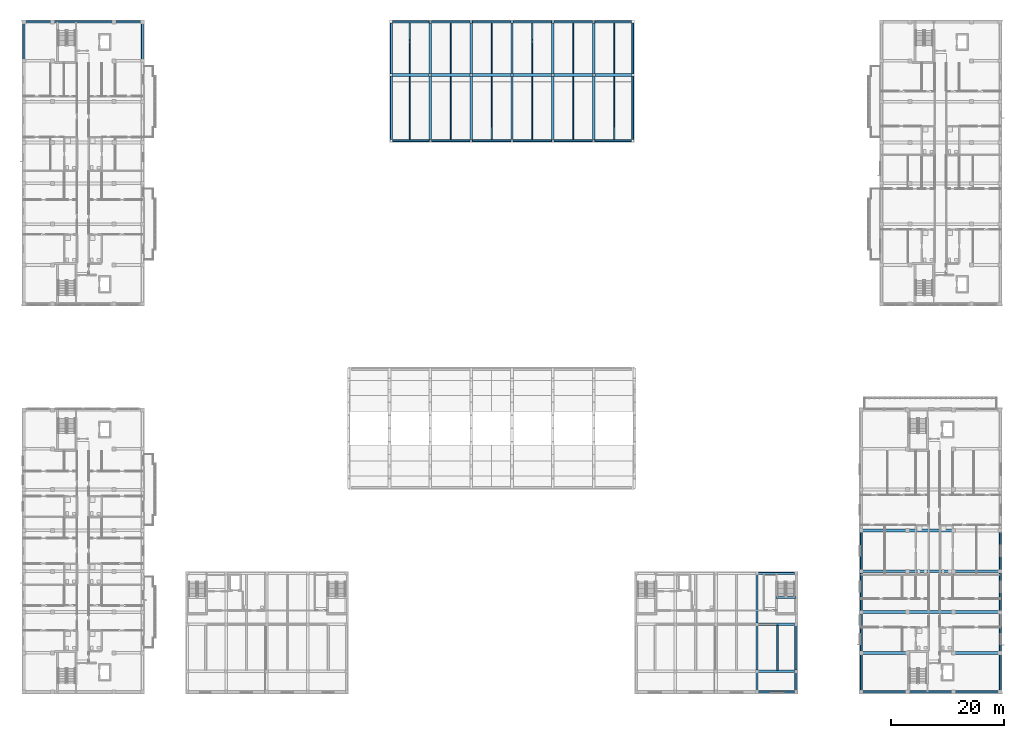
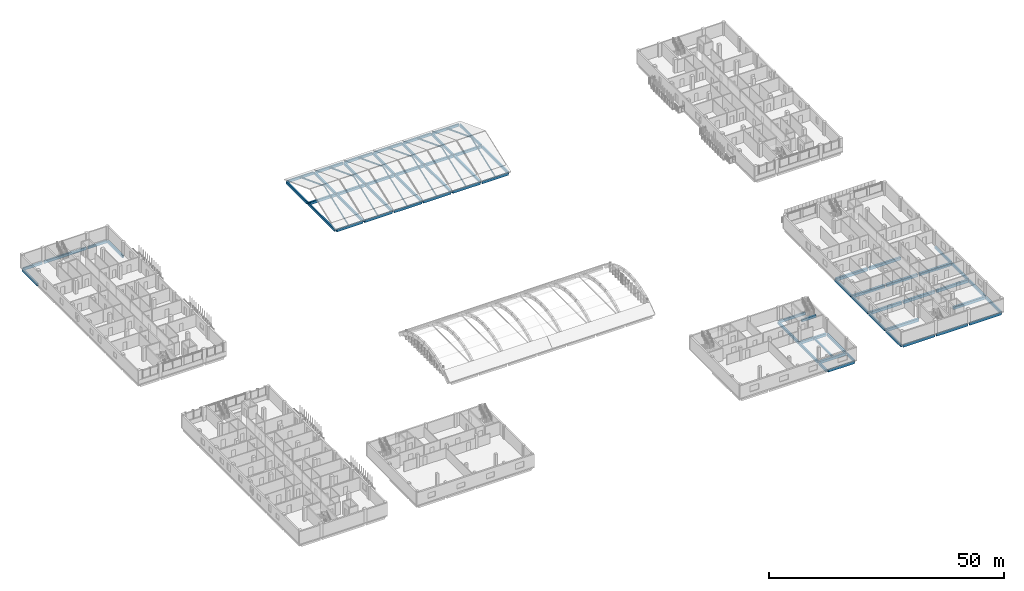
# One storey, part 22 of 73: 69 beams, 12 members.
"""IFC4 building model written with IfcOpenShell, lengths in metres."""

from ifc_helpers import new_model, si_unit, derived_unit, direction, frame, origin, origin_2d, place, context, subcontext, project, spatial, rectangle, i_section, extrude, material, material_profile, profile_set, type_object, element, save


model = new_model("IFC4")

# Units and contexts
model_context = context("Model", 3, precision=1e-05, world=origin(), true_north=direction((0.0, 1.0)))
body_context = subcontext(model_context, "Body", "Model", "MODEL_VIEW")
ifc_project = project(units=[si_unit("LENGTHUNIT", "METRE"), si_unit("AREAUNIT", "SQUARE_METRE"), si_unit("VOLUMEUNIT", "CUBIC_METRE"), si_unit("PLANEANGLEUNIT", "RADIAN"), si_unit("MASSUNIT", "GRAM", prefix="KILO"), derived_unit("THERMALTRANSMITTANCEUNIT", [(si_unit("MASSUNIT", "GRAM", prefix="KILO"), 1), (si_unit("TIMEUNIT", "SECOND"), -3), (si_unit("THERMODYNAMICTEMPERATUREUNIT", "KELVIN"), -1)])], contexts=[model_context])

# Site, building, storey
site_placement = place(None, origin())
site = spatial("IfcSite", under=ifc_project, at=site_placement, CompositionType="ELEMENT")
building_placement = place(site_placement, origin())
building = spatial("IfcBuilding", under=site, at=building_placement, Name="Ochrekiln Boulevard Commons", CompositionType="ELEMENT")
storey_placement = place(building_placement, frame((0.0, 0.0, 8.574951171875)))
storey = spatial("IfcBuildingStorey", under=building, at=storey_placement, Name="L02", CompositionType="ELEMENT", Elevation=8.574951171875)

# Beams
ifc_material_1 = material(Name="Concrete C35/45", Category="concrete")
ifc_material_profile_1 = material_profile(ifc_material_1, rectangle(XDim=0.39990234375, YDim=0.60009765625, at=origin_2d()), Name="RC-BM-400x600")
ifc_profile_set_1 = profile_set([ifc_material_profile_1], Name="Concrete C35/45")
beam_type_1 = type_object("IfcBeamType", Name="BM-RC-400x600", PredefinedType="BEAM", material=ifc_profile_set_1)
beam_1_placement = place(storey_placement, frame((72.0, 97.760009765625, -0.570068359375), z_axis=(0.0, 1.0, 0.0), x_axis=(-1.0, 0.0, 0.0)))
element("IfcBeam", 1, at=beam_1_placement, inside=storey, type_object=beam_type_1, Name="Nursery Pavilion L02 Beam B-4060 Y21", PredefinedType="BEAM", context=body_context, shape_type="SweptSolid", body=[
    extrude(rectangle(XDim=0.39990234375, YDim=0.60009765625, at=origin_2d()), origin(), (0.0, 0.0, 1.0), 11.1298828125),
])
beam_2_placement = place(storey_placement, frame((72.0, 109.31005859375, -0.570068359375), z_axis=(0.0, 1.0, 0.0), x_axis=(-1.0, 0.0, 0.0)))
element("IfcBeam", 2, at=beam_2_placement, inside=storey, type_object=beam_type_1, Name="Nursery Pavilion L02 Beam B-4060 Y22", PredefinedType="BEAM", context=body_context, shape_type="SweptSolid", body=[
    extrude(rectangle(XDim=0.39990234375, YDim=0.60009765625, at=origin_2d()), origin(), (0.0, 0.0, 1.0), 8.929931640625),
])
beam_3_placement = place(storey_placement, frame((79.199951171875, 97.760009765625, -0.570068359375), z_axis=(0.0, 1.0, 0.0), x_axis=(-1.0, 0.0, 0.0)))
element("IfcBeam", 3, at=beam_3_placement, inside=storey, type_object=beam_type_1, Name="Nursery Pavilion L02 Beam B-4060 Y23", PredefinedType="BEAM", context=body_context, shape_type="SweptSolid", body=[
    extrude(rectangle(XDim=0.39990234375, YDim=0.60009765625, at=origin_2d()), origin(), (0.0, 0.0, 1.0), 11.1298828125),
])
beam_4_placement = place(storey_placement, frame((79.199951171875, 109.31005859375, -0.570068359375), z_axis=(0.0, 1.0, 0.0), x_axis=(-1.0, 0.0, 0.0)))
element("IfcBeam", 4, at=beam_4_placement, inside=storey, type_object=beam_type_1, Name="Nursery Pavilion L02 Beam B-4060 Y24", PredefinedType="BEAM", context=body_context, shape_type="SweptSolid", body=[
    extrude(rectangle(XDim=0.39990234375, YDim=0.60009765625, at=origin_2d()), origin(), (0.0, 0.0, 1.0), 8.929931640625),
])
beam_5_placement = place(storey_placement, frame((86.39990234375, 97.760009765625, -0.570068359375), z_axis=(0.0, 1.0, 0.0), x_axis=(-1.0, 0.0, 0.0)))
element("IfcBeam", 5, at=beam_5_placement, inside=storey, type_object=beam_type_1, Name="Nursery Pavilion L02 Beam B-4060 Y25", PredefinedType="BEAM", context=body_context, shape_type="SweptSolid", body=[
    extrude(rectangle(XDim=0.39990234375, YDim=0.60009765625, at=origin_2d()), origin(), (0.0, 0.0, 1.0), 11.1298828125),
])
beam_6_placement = place(storey_placement, frame((86.39990234375, 109.31005859375, -0.570068359375), z_axis=(0.0, 1.0, 0.0), x_axis=(-1.0, 0.0, 0.0)))
element("IfcBeam", 6, at=beam_6_placement, inside=storey, type_object=beam_type_1, Name="Nursery Pavilion L02 Beam B-4060 Y26", PredefinedType="BEAM", context=body_context, shape_type="SweptSolid", body=[
    extrude(rectangle(XDim=0.39990234375, YDim=0.60009765625, at=origin_2d()), origin(), (0.0, 0.0, 1.0), 8.929931640625),
])
beam_7_placement = place(storey_placement, frame((93.60009765625, 97.760009765625, -0.570068359375), z_axis=(0.0, 1.0, 0.0), x_axis=(-1.0, 0.0, 0.0)))
element("IfcBeam", 7, at=beam_7_placement, inside=storey, type_object=beam_type_1, Name="Nursery Pavilion L02 Beam B-4060 Y27", PredefinedType="BEAM", context=body_context, shape_type="SweptSolid", body=[
    extrude(rectangle(XDim=0.39990234375, YDim=0.60009765625, at=origin_2d()), origin(), (0.0, 0.0, 1.0), 11.1298828125),
])
beam_8_placement = place(storey_placement, frame((93.60009765625, 109.31005859375, -0.570068359375), z_axis=(0.0, 1.0, 0.0), x_axis=(-1.0, 0.0, 0.0)))
element("IfcBeam", 8, at=beam_8_placement, inside=storey, type_object=beam_type_1, Name="Nursery Pavilion L02 Beam B-4060 Y28", PredefinedType="BEAM", context=body_context, shape_type="SweptSolid", body=[
    extrude(rectangle(XDim=0.39990234375, YDim=0.60009765625, at=origin_2d()), origin(), (0.0, 0.0, 1.0), 8.929931640625),
])
beam_9_placement = place(storey_placement, frame((100.800048828125, 97.760009765625, -0.570068359375), z_axis=(0.0, 1.0, 0.0), x_axis=(-1.0, 0.0, 0.0)))
element("IfcBeam", 9, at=beam_9_placement, inside=storey, type_object=beam_type_1, Name="Nursery Pavilion L02 Beam B-4060 Y29", PredefinedType="BEAM", context=body_context, shape_type="SweptSolid", body=[
    extrude(rectangle(XDim=0.39990234375, YDim=0.60009765625, at=origin_2d()), origin(), (0.0, 0.0, 1.0), 11.1298828125),
])
beam_10_placement = place(storey_placement, frame((100.800048828125, 109.31005859375, -0.570068359375), z_axis=(0.0, 1.0, 0.0), x_axis=(-1.0, 0.0, 0.0)))
element("IfcBeam", 10, at=beam_10_placement, inside=storey, type_object=beam_type_1, Name="Nursery Pavilion L02 Beam B-4060 Y30", PredefinedType="BEAM", context=body_context, shape_type="SweptSolid", body=[
    extrude(rectangle(XDim=0.39990234375, YDim=0.60009765625, at=origin_2d()), origin(), (0.0, 0.0, 1.0), 8.929931640625),
])
beam_11_placement = place(storey_placement, frame((129.60009765625, 0.56005859375, -0.574951171875), z_axis=(0.0, 1.0, 0.0), x_axis=(-1.0, 0.0, 0.0)))
element("IfcBeam", 11, at=beam_11_placement, inside=storey, type_object=beam_type_1, Name="East Boulevard Shops and Arcade L02 Beam B-4060 Y25", PredefinedType="BEAM", context=body_context, shape_type="SweptSolid", body=[
    extrude(rectangle(XDim=0.39990234375, YDim=0.60009765625, at=origin_2d()), origin(), (0.0, 0.0, 1.0), 3.179931640625),
])
beam_12_placement = place(storey_placement, frame((129.60009765625, 4.159912109375, -0.574951171875), z_axis=(0.0, 1.0, 0.0), x_axis=(-1.0, 0.0, 0.0)))
element("IfcBeam", 12, at=beam_12_placement, inside=storey, type_object=beam_type_1, Name="East Boulevard Shops and Arcade L02 Beam B-4060 Y26", PredefinedType="BEAM", context=body_context, shape_type="SweptSolid", body=[
    extrude(rectangle(XDim=0.39990234375, YDim=0.60009765625, at=origin_2d()), origin(), (0.0, 0.0, 1.0), 7.880126953125),
])
beam_13_placement = place(storey_placement, frame((129.60009765625, 12.4599609375, -0.574951171875), z_axis=(0.0, 1.0, 0.0), x_axis=(-1.0, 0.0, 0.0)))
element("IfcBeam", 13, at=beam_13_placement, inside=storey, type_object=beam_type_1, Name="East Boulevard Shops and Arcade L02 Beam B-4060 Y27", PredefinedType="BEAM", context=body_context, shape_type="SweptSolid", body=[
    extrude(rectangle(XDim=0.39990234375, YDim=0.60009765625, at=origin_2d()), origin(), (0.0, 0.0, 1.0), 8.580078125),
])
beam_14_placement = place(storey_placement, frame((132.919921875, 16.969970703125, 1.239990234375), z_axis=(1.0, 0.0, 0.0), x_axis=(0.0, 1.0, 0.0)))
element("IfcBeam", 14, at=beam_14_placement, inside=storey, type_object=beam_type_1, Name="Stair ST-E2 L02 Half-Landing Support Beam B-4060", PredefinedType="BEAM", context=body_context, shape_type="SweptSolid", body=[
    extrude(rectangle(XDim=0.39990234375, YDim=0.60009765625, at=origin_2d()), origin(), (0.0, 0.0, 1.0), 3.56005859375),
])
ifc_material_profile_2 = material_profile(ifc_material_1, rectangle(XDim=0.449951171875, YDim=0.64990234375, at=origin_2d()), Name="RC-BM-450x650")
ifc_profile_set_2 = profile_set([ifc_material_profile_2], Name="Concrete C35/45")
beam_type_2 = type_object("IfcBeamType", Name="BM-RC-450x650", PredefinedType="BEAM", material=ifc_profile_set_2)
beam_15_placement = place(storey_placement, frame((65.360107421875, 109.10009765625, -0.594970703125), z_axis=(1.0, 0.0, 0.0), x_axis=(0.0, 1.0, 0.0)))
element("IfcBeam", 15, at=beam_15_placement, inside=storey, type_object=beam_type_2, Name="Nursery Pavilion L02 Beam B-4565 X7", PredefinedType="BEAM", context=body_context, shape_type="SweptSolid", body=[
    extrude(rectangle(XDim=0.449951171875, YDim=0.64990234375, at=origin_2d()), origin(), (0.0, 0.0, 1.0), 6.429931640625),
])
for number, where, z_axis, x_axis, name in (
    (16, (72.2099609375, 109.10009765625, -0.594970703125), (1.0, 0.0, 0.0), (0.0, 1.0, 0.0), "Nursery Pavilion L02 Beam B-4565 X8"),
    (17, (79.409912109375, 109.10009765625, -0.594970703125), (1.0, 0.0, 0.0), (0.0, 1.0, 0.0), "Nursery Pavilion L02 Beam B-4565 X9"),
):
    element("IfcBeam", number, at=place(storey_placement, frame(where, z_axis=z_axis, x_axis=x_axis)), inside=storey, type_object=beam_type_2, Name=name, PredefinedType="BEAM", context=body_context, shape_type="SweptSolid", body=[
        extrude(rectangle(XDim=0.449951171875, YDim=0.64990234375, at=origin_2d()), origin(), (0.0, 0.0, 1.0), 6.780029296875),
    ])
beam_16_placement = place(storey_placement, frame((86.610107421875, 109.10009765625, -0.594970703125), z_axis=(1.0, 0.0, 0.0), x_axis=(0.0, 1.0, 0.0)))
element("IfcBeam", 18, at=beam_16_placement, inside=storey, type_object=beam_type_2, Name="Nursery Pavilion L02 Beam B-4565 X10", PredefinedType="BEAM", context=body_context, shape_type="SweptSolid", body=[
    extrude(rectangle(XDim=0.449951171875, YDim=0.64990234375, at=origin_2d()), origin(), (0.0, 0.0, 1.0), 6.77978515625),
])
beam_17_placement = place(storey_placement, frame((93.81005859375, 109.10009765625, -0.594970703125), z_axis=(1.0, 0.0, 0.0), x_axis=(0.0, 1.0, 0.0)))
element("IfcBeam", 19, at=beam_17_placement, inside=storey, type_object=beam_type_2, Name="Nursery Pavilion L02 Beam B-4565 X11", PredefinedType="BEAM", context=body_context, shape_type="SweptSolid", body=[
    extrude(rectangle(XDim=0.449951171875, YDim=0.64990234375, at=origin_2d()), origin(), (0.0, 0.0, 1.0), 6.780029296875),
])
for number, where, z_axis, x_axis, name in (
    (20, (101.010009765625, 109.10009765625, -0.594970703125), (1.0, 0.0, 0.0), (0.0, 1.0, 0.0), "Nursery Pavilion L02 Beam B-4565 X12"),
    (21, (129.81005859375, 3.949951171875, -0.599853515625), (1.0, 0.0, 0.0), (0.0, 1.0, 0.0), "East Boulevard Shops and Arcade L02 Beam B-4565 X8"),
    (22, (129.81005859375, 12.25, -0.599853515625), (1.0, 0.0, 0.0), (0.0, 1.0, 0.0), "East Boulevard Shops and Arcade L02 Beam B-4565 X12"),
):
    element("IfcBeam", number, at=place(storey_placement, frame(where, z_axis=z_axis, x_axis=x_axis)), inside=storey, type_object=beam_type_2, Name=name, PredefinedType="BEAM", context=body_context, shape_type="SweptSolid", body=[
        extrude(rectangle(XDim=0.449951171875, YDim=0.64990234375, at=origin_2d()), origin(), (0.0, 0.0, 1.0), 6.429931640625),
    ])
ifc_material_2 = material(Name="Concrete C40/50", Category="concrete")
ifc_material_profile_3 = material_profile(ifc_material_2, rectangle(XDim=0.5, YDim=0.699951171875, at=origin_2d()), Name="RC-BM-500x700")
ifc_profile_set_3 = profile_set([ifc_material_profile_3], Name="Concrete C40/50")
beam_type_3 = type_object("IfcBeamType", Name="BM-RC-500x700", PredefinedType="BEAM", material=ifc_profile_set_3)
for number, where, z_axis, x_axis, name in (
    (23, (148.159912109375, 7.199951171875, -0.60986328125), (1.0, 0.0, 0.0), (0.0, 1.0, 0.0), "Block C L02 Beam B-5070 X4"),
    (24, (164.4599609375, 7.199951171875, -0.60986328125), (1.0, 0.0, 0.0), (0.0, 1.0, 0.0), "Block C L02 Beam B-5070 X5"),
    (25, (148.159912109375, 14.39990234375, -0.60986328125), (1.0, 0.0, 0.0), (0.0, 1.0, 0.0), "Block C L02 Beam B-5070 X6"),
):
    element("IfcBeam", number, at=place(storey_placement, frame(where, z_axis=z_axis, x_axis=x_axis)), inside=storey, type_object=beam_type_3, Name=name, PredefinedType="BEAM", context=body_context, shape_type="SweptSolid", body=[
        extrude(rectangle(XDim=0.5, YDim=0.699951171875, at=origin_2d()), origin(), (0.0, 0.0, 1.0), 7.780029296875),
    ])
beam_18_placement = place(storey_placement, frame((156.360107421875, 14.39990234375, -0.60986328125), z_axis=(1.0, 0.0, 0.0), x_axis=(0.0, 1.0, 0.0)))
element("IfcBeam", 26, at=beam_18_placement, inside=storey, type_object=beam_type_3, Name="Block C L02 Beam B-5070 X7", PredefinedType="BEAM", context=body_context, shape_type="SweptSolid", body=[
    extrude(rectangle(XDim=0.5, YDim=0.699951171875, at=origin_2d()), origin(), (0.0, 0.0, 1.0), 7.679931640625),
])
for number, where, z_axis, x_axis, name in (
    (27, (164.4599609375, 14.39990234375, -0.60986328125), (1.0, 0.0, 0.0), (0.0, 1.0, 0.0), "Block C L02 Beam B-5070 X8"),
    (28, (148.159912109375, 21.60009765625, -0.60986328125), (1.0, 0.0, 0.0), (0.0, 1.0, 0.0), "Block C L02 Beam B-5070 X9"),
):
    element("IfcBeam", number, at=place(storey_placement, frame(where, z_axis=z_axis, x_axis=x_axis)), inside=storey, type_object=beam_type_3, Name=name, PredefinedType="BEAM", context=body_context, shape_type="SweptSolid", body=[
        extrude(rectangle(XDim=0.5, YDim=0.699951171875, at=origin_2d()), origin(), (0.0, 0.0, 1.0), 7.780029296875),
    ])
beam_19_placement = place(storey_placement, frame((156.360107421875, 21.60009765625, -0.60986328125), z_axis=(1.0, 0.0, 0.0), x_axis=(0.0, 1.0, 0.0)))
element("IfcBeam", 29, at=beam_19_placement, inside=storey, type_object=beam_type_3, Name="Block C L02 Beam B-5070 X10", PredefinedType="BEAM", context=body_context, shape_type="SweptSolid", body=[
    extrude(rectangle(XDim=0.5, YDim=0.699951171875, at=origin_2d()), origin(), (0.0, 0.0, 1.0), 7.679931640625),
])
for number, where, z_axis, x_axis, name in (
    (30, (164.4599609375, 21.60009765625, -0.60986328125), (1.0, 0.0, 0.0), (0.0, 1.0, 0.0), "Block C L02 Beam B-5070 X11"),
    (31, (148.159912109375, 28.800048828125, -0.60986328125), (1.0, 0.0, 0.0), (0.0, 1.0, 0.0), "Block C L02 Beam B-5070 X12"),
):
    element("IfcBeam", number, at=place(storey_placement, frame(where, z_axis=z_axis, x_axis=x_axis)), inside=storey, type_object=beam_type_3, Name=name, PredefinedType="BEAM", context=body_context, shape_type="SweptSolid", body=[
        extrude(rectangle(XDim=0.5, YDim=0.699951171875, at=origin_2d()), origin(), (0.0, 0.0, 1.0), 7.780029296875),
    ])
beam_20_placement = place(storey_placement, frame((156.360107421875, 28.800048828125, -0.60986328125), z_axis=(1.0, 0.0, 0.0), x_axis=(0.0, 1.0, 0.0)))
element("IfcBeam", 32, at=beam_20_placement, inside=storey, type_object=beam_type_3, Name="Block C L02 Beam B-5070 X13", PredefinedType="BEAM", context=body_context, shape_type="SweptSolid", body=[
    extrude(rectangle(XDim=0.5, YDim=0.699951171875, at=origin_2d()), origin(), (0.0, 0.0, 1.0), 7.679931640625),
])
ifc_material_profile_4 = material_profile(ifc_material_1, rectangle(XDim=0.300048828125, YDim=0.449951171875, at=origin_2d()), Name="RC-JST-300x450")
ifc_profile_set_4 = profile_set([ifc_material_profile_4], Name="Concrete C35/45")
beam_type_4 = type_object("IfcBeamType", Name="JST-RC-300x450", PredefinedType="JOIST", material=ifc_profile_set_4)
beam_21_placement = place(storey_placement, frame((133.199951171875, 4.1201171875, -0.5), z_axis=(0.0, 1.0, 0.0), x_axis=(-1.0, 0.0, 0.0)))
element("IfcBeam", 33, at=beam_21_placement, inside=storey, type_object=beam_type_4, Name="Boulevard Arcade L02 Floor Joist J-3045 (30)", PredefinedType="JOIST", context=body_context, shape_type="SweptSolid", body=[
    extrude(rectangle(XDim=0.300048828125, YDim=0.449951171875, at=origin_2d()), origin(), (0.0, 0.0, 1.0), 7.9599609375),
])

# Members
ifc_material_3 = material(Name="Steel A992 Grade 50", Category="steel")
ifc_material_profile_5 = material_profile(ifc_material_3, i_section(OverallWidth=0.1708984375, OverallDepth=0.35107421875, WebThickness=0.0068359375, FlangeThickness=0.009765625, at=origin_2d()), Name="W14X30")
ifc_profile_set_5 = profile_set([ifc_material_profile_5], Name="Steel A992 Grade 50")
member_type = type_object("IfcMemberType", Name="MEM-RAF-W14X30", PredefinedType="RAFTER", material=ifc_profile_set_5)
for number, where, z_axis, x_axis, name in (
    (34, (68.39990234375, 97.449951171875, -0.47998046875), (0.0, 0.933572595133, 0.35838835028), (-1.0, 0.0, 0.0), "Nursery Pitched Roof Rafter 1S"),
    (35, (68.39990234375, 118.550048828125, -0.47998046875), (0.0, -0.933572595133, 0.35838835028), (1.0, 0.0, 0.0), "Nursery Pitched Roof Rafter 1N"),
    (36, (75.60009765625, 97.449951171875, -0.47998046875), (0.0, 0.933572595133, 0.35838835028), (-1.0, 0.0, 0.0), "Nursery Pitched Roof Rafter 2S"),
    (37, (75.60009765625, 118.550048828125, -0.47998046875), (0.0, -0.933572595133, 0.35838835028), (1.0, 0.0, 0.0), "Nursery Pitched Roof Rafter 2N"),
    (38, (82.800048828125, 97.449951171875, -0.47998046875), (0.0, 0.933572595133, 0.35838835028), (-1.0, 0.0, 0.0), "Nursery Pitched Roof Rafter 3S"),
    (39, (82.800048828125, 118.550048828125, -0.47998046875), (0.0, -0.933572595133, 0.35838835028), (1.0, 0.0, 0.0), "Nursery Pitched Roof Rafter 3N"),
    (40, (90.0, 97.449951171875, -0.47998046875), (0.0, 0.933572595133, 0.35838835028), (-1.0, 0.0, 0.0), "Nursery Pitched Roof Rafter 4S"),
    (41, (90.0, 118.550048828125, -0.47998046875), (0.0, -0.933572595133, 0.35838835028), (1.0, 0.0, 0.0), "Nursery Pitched Roof Rafter 4N"),
    (42, (97.199951171875, 97.449951171875, -0.47998046875), (0.0, 0.933572595133, 0.35838835028), (-1.0, 0.0, 0.0), "Nursery Pitched Roof Rafter 5S"),
    (43, (97.199951171875, 118.550048828125, -0.47998046875), (0.0, -0.933572595133, 0.35838835028), (1.0, 0.0, 0.0), "Nursery Pitched Roof Rafter 5N"),
    (44, (104.39990234375, 97.449951171875, -0.47998046875), (0.0, 0.933572595133, 0.35838835028), (-1.0, 0.0, 0.0), "Nursery Pitched Roof Rafter 6S"),
    (45, (104.39990234375, 118.550048828125, -0.47998046875), (0.0, -0.933572595133, 0.35838835028), (1.0, 0.0, 0.0), "Nursery Pitched Roof Rafter 6N"),
):
    element("IfcMember", number, at=place(storey_placement, frame(where, z_axis=z_axis, x_axis=x_axis)), inside=storey, type_object=member_type, Name=name, PredefinedType="RAFTER", context=body_context, shape_type="SweptSolid", body=[
        extrude(i_section(OverallWidth=0.1708984375, OverallDepth=0.35107421875, WebThickness=0.0068359375, FlangeThickness=0.009765625, at=origin_2d()), origin(), (0.0, 0.0, 1.0), 11.30078125),
    ])

# Beams
ifc_material_profile_6 = material_profile(ifc_material_2, rectangle(XDim=0.35009765625, YDim=0.64990234375, at=origin_2d()), Name="RC-SPN-350x650")
ifc_profile_set_6 = profile_set([ifc_material_profile_6], Name="Concrete C40/50")
beam_type_5 = type_object("IfcBeamType", Name="SPN-RC-350x650", PredefinedType="SPANDREL", material=ifc_profile_set_6)
beam_22_placement = place(storey_placement, frame((0.56005859375, 118.449951171875, -0.5849609375), z_axis=(1.0, 0.0, 0.0), x_axis=(0.0, 1.0, 0.0)))
element("IfcBeam", 46, at=beam_22_placement, inside=storey, type_object=beam_type_5, Name="Block A L02 Beam SP-3565 X20", PredefinedType="SPANDREL", context=body_context, shape_type="SweptSolid", body=[
    extrude(rectangle(XDim=0.35009765625, YDim=0.64990234375, at=origin_2d()), origin(), (0.0, 0.0, 1.0), 4.6298828125),
])
beam_23_placement = place(storey_placement, frame((5.610107421875, 118.449951171875, -0.5849609375), z_axis=(1.0, 0.0, 0.0), x_axis=(0.0, 1.0, 0.0)))
element("IfcBeam", 47, at=beam_23_placement, inside=storey, type_object=beam_type_5, Name="Block A L02 Beam SP-3565 X21", PredefinedType="SPANDREL", context=body_context, shape_type="SweptSolid", body=[
    extrude(rectangle(XDim=0.35009765625, YDim=0.64990234375, at=origin_2d()), origin(), (0.0, 0.0, 1.0), 10.3798828125),
])
beam_24_placement = place(storey_placement, frame((16.409912109375, 118.449951171875, -0.5849609375), z_axis=(1.0, 0.0, 0.0), x_axis=(0.0, 1.0, 0.0)))
element("IfcBeam", 48, at=beam_24_placement, inside=storey, type_object=beam_type_5, Name="Block A L02 Beam SP-3565 X22", PredefinedType="SPANDREL", context=body_context, shape_type="SweptSolid", body=[
    extrude(rectangle(XDim=0.35009765625, YDim=0.64990234375, at=origin_2d()), origin(), (0.0, 0.0, 1.0), 4.630126953125),
])
for number, where, z_axis, x_axis, name in (
    (49, (0.35009765625, 111.81005859375, -0.5849609375), (0.0, 1.0, 0.0), (-1.0, 0.0, 0.0), "Block A L02 Beam SP-3565 Y29"),
    (50, (21.25, 111.81005859375, -0.5849609375), (0.0, 1.0, 0.0), (-1.0, 0.0, 0.0), "Block A L02 Beam SP-3565 Y36"),
):
    element("IfcBeam", number, at=place(storey_placement, frame(where, z_axis=z_axis, x_axis=x_axis)), inside=storey, type_object=beam_type_5, Name=name, PredefinedType="SPANDREL", context=body_context, shape_type="SweptSolid", body=[
        extrude(rectangle(XDim=0.35009765625, YDim=0.64990234375, at=origin_2d()), origin(), (0.0, 0.0, 1.0), 6.429931640625),
    ])
beam_25_placement = place(storey_placement, frame((148.159912109375, 0.35009765625, -0.5849609375), z_axis=(1.0, 0.0, 0.0), x_axis=(0.0, 1.0, 0.0)))
element("IfcBeam", 51, at=beam_25_placement, inside=storey, type_object=beam_type_5, Name="Block C L02 Beam SP-3565 X1", PredefinedType="SPANDREL", context=body_context, shape_type="SweptSolid", body=[
    extrude(rectangle(XDim=0.35009765625, YDim=0.64990234375, at=origin_2d()), origin(), (0.0, 0.0, 1.0), 7.780029296875),
])
beam_26_placement = place(storey_placement, frame((156.360107421875, 0.35009765625, -0.5849609375), z_axis=(1.0, 0.0, 0.0), x_axis=(0.0, 1.0, 0.0)))
element("IfcBeam", 52, at=beam_26_placement, inside=storey, type_object=beam_type_5, Name="Block C L02 Beam SP-3565 X2", PredefinedType="SPANDREL", context=body_context, shape_type="SweptSolid", body=[
    extrude(rectangle(XDim=0.35009765625, YDim=0.64990234375, at=origin_2d()), origin(), (0.0, 0.0, 1.0), 7.679931640625),
])
beam_27_placement = place(storey_placement, frame((164.4599609375, 0.35009765625, -0.5849609375), z_axis=(1.0, 0.0, 0.0), x_axis=(0.0, 1.0, 0.0)))
element("IfcBeam", 53, at=beam_27_placement, inside=storey, type_object=beam_type_5, Name="Block C L02 Beam SP-3565 X3", PredefinedType="SPANDREL", context=body_context, shape_type="SweptSolid", body=[
    extrude(rectangle(XDim=0.35009765625, YDim=0.64990234375, at=origin_2d()), origin(), (0.0, 0.0, 1.0), 7.780029296875),
])
beam_28_placement = place(storey_placement, frame((147.949951171875, 0.56005859375, -0.5849609375), z_axis=(0.0, 1.0, 0.0), x_axis=(-1.0, 0.0, 0.0)))
element("IfcBeam", 54, at=beam_28_placement, inside=storey, type_object=beam_type_5, Name="Block C L02 Beam SP-3565 Y23", PredefinedType="SPANDREL", context=body_context, shape_type="SweptSolid", body=[
    extrude(rectangle(XDim=0.35009765625, YDim=0.64990234375, at=origin_2d()), origin(), (0.0, 0.0, 1.0), 6.429931640625),
])
beam_29_placement = place(storey_placement, frame((147.949951171875, 7.409912109375, -0.5849609375), z_axis=(0.0, 1.0, 0.0), x_axis=(-1.0, 0.0, 0.0)))
element("IfcBeam", 55, at=beam_29_placement, inside=storey, type_object=beam_type_5, Name="Block C L02 Beam SP-3565 Y24", PredefinedType="SPANDREL", context=body_context, shape_type="SweptSolid", body=[
    extrude(rectangle(XDim=0.35009765625, YDim=0.64990234375, at=origin_2d()), origin(), (0.0, 0.0, 1.0), 6.780029296875),
])
beam_30_placement = place(storey_placement, frame((147.949951171875, 14.610107421875, -0.5849609375), z_axis=(0.0, 1.0, 0.0), x_axis=(-1.0, 0.0, 0.0)))
element("IfcBeam", 56, at=beam_30_placement, inside=storey, type_object=beam_type_5, Name="Block C L02 Beam SP-3565 Y25", PredefinedType="SPANDREL", context=body_context, shape_type="SweptSolid", body=[
    extrude(rectangle(XDim=0.35009765625, YDim=0.64990234375, at=origin_2d()), origin(), (0.0, 0.0, 1.0), 6.77978515625),
])
beam_31_placement = place(storey_placement, frame((147.949951171875, 21.81005859375, -0.5849609375), z_axis=(0.0, 1.0, 0.0), x_axis=(-1.0, 0.0, 0.0)))
element("IfcBeam", 57, at=beam_31_placement, inside=storey, type_object=beam_type_5, Name="Block C L02 Beam SP-3565 Y26", PredefinedType="SPANDREL", context=body_context, shape_type="SweptSolid", body=[
    extrude(rectangle(XDim=0.35009765625, YDim=0.64990234375, at=origin_2d()), origin(), (0.0, 0.0, 1.0), 6.780029296875),
])
beam_32_placement = place(storey_placement, frame((172.449951171875, 0.56005859375, -0.5849609375), z_axis=(0.0, 1.0, 0.0), x_axis=(-1.0, 0.0, 0.0)))
element("IfcBeam", 58, at=beam_32_placement, inside=storey, type_object=beam_type_5, Name="Block C L02 Beam SP-3565 Y30", PredefinedType="SPANDREL", context=body_context, shape_type="SweptSolid", body=[
    extrude(rectangle(XDim=0.35009765625, YDim=0.64990234375, at=origin_2d()), origin(), (0.0, 0.0, 1.0), 6.429931640625),
])
beam_33_placement = place(storey_placement, frame((172.449951171875, 7.409912109375, -0.5849609375), z_axis=(0.0, 1.0, 0.0), x_axis=(-1.0, 0.0, 0.0)))
element("IfcBeam", 59, at=beam_33_placement, inside=storey, type_object=beam_type_5, Name="Block C L02 Beam SP-3565 Y31", PredefinedType="SPANDREL", context=body_context, shape_type="SweptSolid", body=[
    extrude(rectangle(XDim=0.35009765625, YDim=0.64990234375, at=origin_2d()), origin(), (0.0, 0.0, 1.0), 6.780029296875),
])
beam_34_placement = place(storey_placement, frame((172.449951171875, 14.610107421875, -0.5849609375), z_axis=(0.0, 1.0, 0.0), x_axis=(-1.0, 0.0, 0.0)))
element("IfcBeam", 60, at=beam_34_placement, inside=storey, type_object=beam_type_5, Name="Block C L02 Beam SP-3565 Y32", PredefinedType="SPANDREL", context=body_context, shape_type="SweptSolid", body=[
    extrude(rectangle(XDim=0.35009765625, YDim=0.64990234375, at=origin_2d()), origin(), (0.0, 0.0, 1.0), 6.77978515625),
])
beam_35_placement = place(storey_placement, frame((172.449951171875, 21.81005859375, -0.5849609375), z_axis=(0.0, 1.0, 0.0), x_axis=(-1.0, 0.0, 0.0)))
element("IfcBeam", 61, at=beam_35_placement, inside=storey, type_object=beam_type_5, Name="Block C L02 Beam SP-3565 Y33", PredefinedType="SPANDREL", context=body_context, shape_type="SweptSolid", body=[
    extrude(rectangle(XDim=0.35009765625, YDim=0.64990234375, at=origin_2d()), origin(), (0.0, 0.0, 1.0), 6.780029296875),
])
beam_36_placement = place(storey_placement, frame((65.360107421875, 97.550048828125, -0.594970703125), z_axis=(1.0, 0.0, 0.0), x_axis=(0.0, 1.0, 0.0)))
element("IfcBeam", 62, at=beam_36_placement, inside=storey, type_object=beam_type_5, Name="Nursery Pavilion L02 Beam SP-3565 X1", PredefinedType="SPANDREL", context=body_context, shape_type="SweptSolid", body=[
    extrude(rectangle(XDim=0.35009765625, YDim=0.64990234375, at=origin_2d()), origin(), (0.0, 0.0, 1.0), 6.429931640625),
])
for number, where, z_axis, x_axis, name in (
    (63, (72.2099609375, 97.550048828125, -0.594970703125), (1.0, 0.0, 0.0), (0.0, 1.0, 0.0), "Nursery Pavilion L02 Beam SP-3565 X2"),
    (64, (79.409912109375, 97.550048828125, -0.594970703125), (1.0, 0.0, 0.0), (0.0, 1.0, 0.0), "Nursery Pavilion L02 Beam SP-3565 X3"),
):
    element("IfcBeam", number, at=place(storey_placement, frame(where, z_axis=z_axis, x_axis=x_axis)), inside=storey, type_object=beam_type_5, Name=name, PredefinedType="SPANDREL", context=body_context, shape_type="SweptSolid", body=[
        extrude(rectangle(XDim=0.35009765625, YDim=0.64990234375, at=origin_2d()), origin(), (0.0, 0.0, 1.0), 6.780029296875),
    ])
beam_37_placement = place(storey_placement, frame((86.610107421875, 97.550048828125, -0.594970703125), z_axis=(1.0, 0.0, 0.0), x_axis=(0.0, 1.0, 0.0)))
element("IfcBeam", 65, at=beam_37_placement, inside=storey, type_object=beam_type_5, Name="Nursery Pavilion L02 Beam SP-3565 X4", PredefinedType="SPANDREL", context=body_context, shape_type="SweptSolid", body=[
    extrude(rectangle(XDim=0.35009765625, YDim=0.64990234375, at=origin_2d()), origin(), (0.0, 0.0, 1.0), 6.77978515625),
])
beam_38_placement = place(storey_placement, frame((93.81005859375, 97.550048828125, -0.594970703125), z_axis=(1.0, 0.0, 0.0), x_axis=(0.0, 1.0, 0.0)))
element("IfcBeam", 66, at=beam_38_placement, inside=storey, type_object=beam_type_5, Name="Nursery Pavilion L02 Beam SP-3565 X5", PredefinedType="SPANDREL", context=body_context, shape_type="SweptSolid", body=[
    extrude(rectangle(XDim=0.35009765625, YDim=0.64990234375, at=origin_2d()), origin(), (0.0, 0.0, 1.0), 6.780029296875),
])
for number, where, z_axis, x_axis, name in (
    (67, (101.010009765625, 97.550048828125, -0.594970703125), (1.0, 0.0, 0.0), (0.0, 1.0, 0.0), "Nursery Pavilion L02 Beam SP-3565 X6"),
    (68, (65.360107421875, 118.449951171875, -0.594970703125), (1.0, 0.0, 0.0), (0.0, 1.0, 0.0), "Nursery Pavilion L02 Beam SP-3565 X13"),
):
    element("IfcBeam", number, at=place(storey_placement, frame(where, z_axis=z_axis, x_axis=x_axis)), inside=storey, type_object=beam_type_5, Name=name, PredefinedType="SPANDREL", context=body_context, shape_type="SweptSolid", body=[
        extrude(rectangle(XDim=0.35009765625, YDim=0.64990234375, at=origin_2d()), origin(), (0.0, 0.0, 1.0), 6.429931640625),
    ])
for number, where, z_axis, x_axis, name in (
    (69, (72.2099609375, 118.449951171875, -0.594970703125), (1.0, 0.0, 0.0), (0.0, 1.0, 0.0), "Nursery Pavilion L02 Beam SP-3565 X14"),
    (70, (79.409912109375, 118.449951171875, -0.594970703125), (1.0, 0.0, 0.0), (0.0, 1.0, 0.0), "Nursery Pavilion L02 Beam SP-3565 X15"),
):
    element("IfcBeam", number, at=place(storey_placement, frame(where, z_axis=z_axis, x_axis=x_axis)), inside=storey, type_object=beam_type_5, Name=name, PredefinedType="SPANDREL", context=body_context, shape_type="SweptSolid", body=[
        extrude(rectangle(XDim=0.35009765625, YDim=0.64990234375, at=origin_2d()), origin(), (0.0, 0.0, 1.0), 6.780029296875),
    ])
beam_39_placement = place(storey_placement, frame((86.610107421875, 118.449951171875, -0.594970703125), z_axis=(1.0, 0.0, 0.0), x_axis=(0.0, 1.0, 0.0)))
element("IfcBeam", 71, at=beam_39_placement, inside=storey, type_object=beam_type_5, Name="Nursery Pavilion L02 Beam SP-3565 X16", PredefinedType="SPANDREL", context=body_context, shape_type="SweptSolid", body=[
    extrude(rectangle(XDim=0.35009765625, YDim=0.64990234375, at=origin_2d()), origin(), (0.0, 0.0, 1.0), 6.77978515625),
])
beam_40_placement = place(storey_placement, frame((93.81005859375, 118.449951171875, -0.594970703125), z_axis=(1.0, 0.0, 0.0), x_axis=(0.0, 1.0, 0.0)))
element("IfcBeam", 72, at=beam_40_placement, inside=storey, type_object=beam_type_5, Name="Nursery Pavilion L02 Beam SP-3565 X17", PredefinedType="SPANDREL", context=body_context, shape_type="SweptSolid", body=[
    extrude(rectangle(XDim=0.35009765625, YDim=0.64990234375, at=origin_2d()), origin(), (0.0, 0.0, 1.0), 6.780029296875),
])
beam_41_placement = place(storey_placement, frame((101.010009765625, 118.449951171875, -0.594970703125), z_axis=(1.0, 0.0, 0.0), x_axis=(0.0, 1.0, 0.0)))
element("IfcBeam", 73, at=beam_41_placement, inside=storey, type_object=beam_type_5, Name="Nursery Pavilion L02 Beam SP-3565 X18", PredefinedType="SPANDREL", context=body_context, shape_type="SweptSolid", body=[
    extrude(rectangle(XDim=0.35009765625, YDim=0.64990234375, at=origin_2d()), origin(), (0.0, 0.0, 1.0), 6.429931640625),
])
beam_42_placement = place(storey_placement, frame((65.14990234375, 97.760009765625, -0.594970703125), z_axis=(0.0, 1.0, 0.0), x_axis=(-1.0, 0.0, 0.0)))
element("IfcBeam", 74, at=beam_42_placement, inside=storey, type_object=beam_type_5, Name="Nursery Pavilion L02 Beam SP-3565 Y19", PredefinedType="SPANDREL", context=body_context, shape_type="SweptSolid", body=[
    extrude(rectangle(XDim=0.35009765625, YDim=0.64990234375, at=origin_2d()), origin(), (0.0, 0.0, 1.0), 11.1298828125),
])
beam_43_placement = place(storey_placement, frame((65.14990234375, 109.31005859375, -0.594970703125), z_axis=(0.0, 1.0, 0.0), x_axis=(-1.0, 0.0, 0.0)))
element("IfcBeam", 75, at=beam_43_placement, inside=storey, type_object=beam_type_5, Name="Nursery Pavilion L02 Beam SP-3565 Y20", PredefinedType="SPANDREL", context=body_context, shape_type="SweptSolid", body=[
    extrude(rectangle(XDim=0.35009765625, YDim=0.64990234375, at=origin_2d()), origin(), (0.0, 0.0, 1.0), 8.929931640625),
])
beam_44_placement = place(storey_placement, frame((107.64990234375, 97.760009765625, -0.594970703125), z_axis=(0.0, 1.0, 0.0), x_axis=(-1.0, 0.0, 0.0)))
element("IfcBeam", 76, at=beam_44_placement, inside=storey, type_object=beam_type_5, Name="Nursery Pavilion L02 Beam SP-3565 Y31", PredefinedType="SPANDREL", context=body_context, shape_type="SweptSolid", body=[
    extrude(rectangle(XDim=0.35009765625, YDim=0.64990234375, at=origin_2d()), origin(), (0.0, 0.0, 1.0), 11.1298828125),
])
beam_45_placement = place(storey_placement, frame((107.64990234375, 109.31005859375, -0.594970703125), z_axis=(0.0, 1.0, 0.0), x_axis=(-1.0, 0.0, 0.0)))
element("IfcBeam", 77, at=beam_45_placement, inside=storey, type_object=beam_type_5, Name="Nursery Pavilion L02 Beam SP-3565 Y32", PredefinedType="SPANDREL", context=body_context, shape_type="SweptSolid", body=[
    extrude(rectangle(XDim=0.35009765625, YDim=0.64990234375, at=origin_2d()), origin(), (0.0, 0.0, 1.0), 8.929931640625),
])
for number, where, z_axis, x_axis, name in (
    (78, (129.81005859375, 0.35009765625, -0.599853515625), (1.0, 0.0, 0.0), (0.0, 1.0, 0.0), "East Boulevard Shops and Arcade L02 Beam SP-3565 X4"),
    (79, (129.81005859375, 21.25, -0.599853515625), (1.0, 0.0, 0.0), (0.0, 1.0, 0.0), "East Boulevard Shops and Arcade L02 Beam SP-3565 X16"),
):
    element("IfcBeam", number, at=place(storey_placement, frame(where, z_axis=z_axis, x_axis=x_axis)), inside=storey, type_object=beam_type_5, Name=name, PredefinedType="SPANDREL", context=body_context, shape_type="SweptSolid", body=[
        extrude(rectangle(XDim=0.35009765625, YDim=0.64990234375, at=origin_2d()), origin(), (0.0, 0.0, 1.0), 6.429931640625),
    ])
beam_46_placement = place(storey_placement, frame((136.449951171875, 0.56005859375, -0.599853515625), z_axis=(0.0, 1.0, 0.0), x_axis=(-1.0, 0.0, 0.0)))
element("IfcBeam", 80, at=beam_46_placement, inside=storey, type_object=beam_type_5, Name="East Boulevard Shops and Arcade L02 Beam SP-3565 Y28", PredefinedType="SPANDREL", context=body_context, shape_type="SweptSolid", body=[
    extrude(rectangle(XDim=0.35009765625, YDim=0.64990234375, at=origin_2d()), origin(), (0.0, 0.0, 1.0), 3.179931640625),
])
beam_47_placement = place(storey_placement, frame((136.449951171875, 4.159912109375, -0.599853515625), z_axis=(0.0, 1.0, 0.0), x_axis=(-1.0, 0.0, 0.0)))
element("IfcBeam", 81, at=beam_47_placement, inside=storey, type_object=beam_type_5, Name="East Boulevard Shops and Arcade L02 Beam SP-3565 Y29", PredefinedType="SPANDREL", context=body_context, shape_type="SweptSolid", body=[
    extrude(rectangle(XDim=0.35009765625, YDim=0.64990234375, at=origin_2d()), origin(), (0.0, 0.0, 1.0), 7.880126953125),
])

save(model, "model.ifc")
